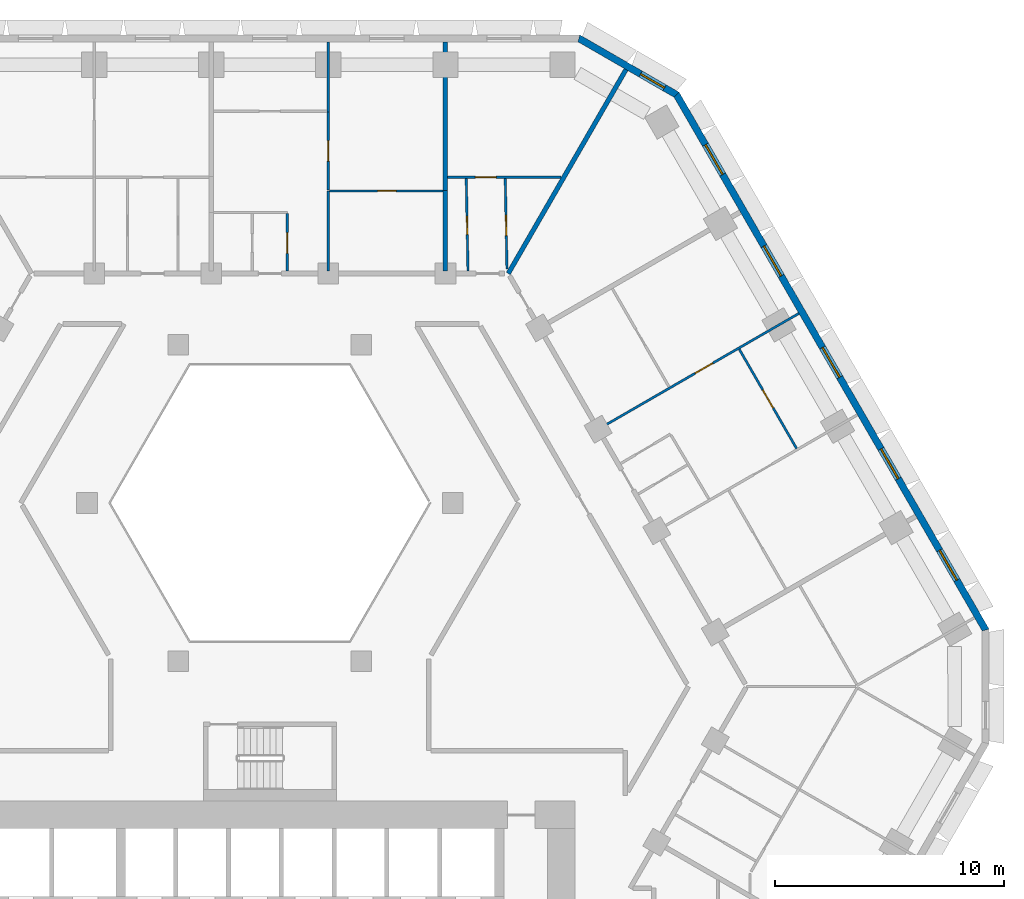
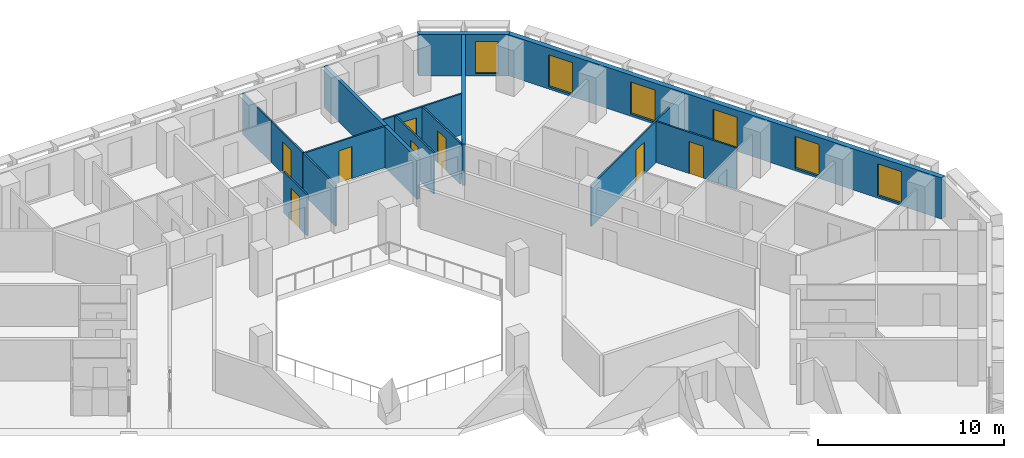
# One storey, part 10 of 16: 15 walls, 8 doors, 6 windows, 14 openings.
"""IFC4 building model written with IfcOpenShell, lengths in metres."""

import ifcopenshell
import ifcopenshell.guid

model = None  # the IFC model being written
_history = None  # IfcOwnerHistory: only IFC2X3 demands one
_inside = {}  # id of a spatial element -> (the spatial element, [elements in it])
_under = {}  # id of a project, library or spatial element -> (it, [spatial elements below it])
_declared = {}  # id of a project -> (the project, [libraries it declares])
_typed = {}  # id of a type object -> (the type object, [elements of that type])
_made_of = {}  # id of a material, layer set ... -> (it, [elements and type objects made of it])


def new_model(schema):
    """Start an empty IFC model of exactly this schema.

    Asked for "IFC4X3", IfcOpenShell would pick the latest addendum, in which some entities
    have other attributes; the version numbers below select the first issue.
    IFC2X3 requires an IfcOwnerHistory on every rooted entity: one is made here for all.
    """
    global model, _history
    if schema == "IFC4X3":
        model = ifcopenshell.file(schema_version=(4, 3, 0, 0))
    else:
        model = ifcopenshell.file(schema=schema)
    _inside.clear()
    _under.clear()
    _declared.clear()
    _typed.clear()
    _made_of.clear()
    _history = None
    if model.schema == "IFC2X3":
        org = make("IfcOrganization", Name="unknown")
        user = make(
            "IfcPersonAndOrganization",
            ThePerson=make("IfcPerson", FamilyName="unknown"),
            TheOrganization=org,
        )
        app = make(
            "IfcApplication",
            ApplicationDeveloper=org,
            Version="unknown",
            ApplicationFullName="unknown",
            ApplicationIdentifier="unknown",
        )
        _history = make(
            "IfcOwnerHistory",
            OwningUser=user,
            OwningApplication=app,
            ChangeAction="ADDED",
            CreationDate=0,
        )
    return model


def make(cls, **values):
    """One entity of the class cls with the attributes given. An attribute that is None is left unset."""
    return model.create_entity(
        cls, **{name: value for name, value in values.items() if value is not None}
    )


def rooted(cls, **values):
    """An entity with a GlobalId (a new one), such as an element, a storey or a relation."""
    return make(cls, GlobalId=ifcopenshell.guid.new(), OwnerHistory=_history, **values)


def si_unit(unit_type, name, prefix=None):
    """IfcSIUnit, for example si_unit("LENGTHUNIT", "METRE", prefix="MILLI")."""
    return make("IfcSIUnit", UnitType=unit_type, Prefix=prefix, Name=name)


def assignment(units):
    """IfcUnitAssignment: the units of a project."""
    return None if units is None else make("IfcUnitAssignment", Units=units)


def point(xyz):
    """IfcCartesianPoint."""
    return None if xyz is None else make("IfcCartesianPoint", Coordinates=xyz)


def direction(xyz):
    """IfcDirection."""
    return None if xyz is None else make("IfcDirection", DirectionRatios=xyz)


def frame(location, z_axis=None, x_axis=None):
    """IfcAxis2Placement3D, a coordinate frame: its origin and axes. An axis left out is left unset."""
    return make(
        "IfcAxis2Placement3D",
        Location=point(location),
        Axis=direction(z_axis),
        RefDirection=direction(x_axis),
    )


def frame_2d(location, x_axis=None):
    """IfcAxis2Placement2D, a coordinate frame in the plane: its origin and x axis."""
    return make(
        "IfcAxis2Placement2D", Location=point(location), RefDirection=direction(x_axis)
    )


def origin():
    """The frame at (0, 0, 0) with its axes left unset."""
    return frame((0.0, 0.0, 0.0))


def place(relative_to, where):
    """IfcLocalPlacement: puts the frame where relative to a parent placement (None: the world)."""
    return make(
        "IfcLocalPlacement", PlacementRelTo=relative_to, RelativePlacement=where
    )


def context(
    kind, dimensions, precision=None, world=None, true_north=None, identifier=None
):
    """IfcGeometricRepresentationContext, for example the 3D "Model" context."""
    return make(
        "IfcGeometricRepresentationContext",
        ContextIdentifier=identifier,
        ContextType=kind,
        CoordinateSpaceDimension=dimensions,
        Precision=precision,
        WorldCoordinateSystem=world,
        TrueNorth=true_north,
    )


def subcontext(parent, identifier, kind, view, scale=None):
    """IfcGeometricRepresentationSubContext, for example "Body" below "Model"."""
    return make(
        "IfcGeometricRepresentationSubContext",
        ContextIdentifier=identifier,
        ContextType=kind,
        ParentContext=parent,
        TargetScale=scale,
        TargetView=view,
    )


def project(units=None, contexts=None):
    """IfcProject with its units and contexts."""
    return rooted(
        "IfcProject",
        Name="project",
        RepresentationContexts=contexts,
        UnitsInContext=assignment(units),
    )


def spatial(cls, under=None, at=None, **own):
    """A site, building, storey or space (cls), placed at a placement, below another one or the project."""
    s = rooted(cls, ObjectPlacement=at, **own)
    if under is not None:
        _under.setdefault(under.id(), (under, []))[1].append(s)
    return s


def polyline(points):
    """IfcPolyline through the points."""
    return make("IfcPolyline", Points=[point(p) for p in points])


def profile(cls, at=None, kind="AREA", **sizes):
    """A parametric profile (cls). Its sizes go by their IFC names, for example OverallWidth=200.0."""
    return make(cls, ProfileType=kind, Position=at, **sizes)


def rectangle(**sizes):
    """IfcRectangleProfileDef."""
    return profile("IfcRectangleProfileDef", **sizes)


def outline(outer, holes=None, kind="AREA"):
    """IfcArbitraryClosedProfileDef: a profile drawn as a closed curve; with holes, ...WithVoids."""
    if holes is None:
        return make("IfcArbitraryClosedProfileDef", ProfileType=kind, OuterCurve=outer)
    return make(
        "IfcArbitraryProfileDefWithVoids",
        ProfileType=kind,
        OuterCurve=outer,
        InnerCurves=holes,
    )


def extrude(swept, where, along, depth):
    """IfcExtrudedAreaSolid: the profile swept, set in the frame where, extruded along a direction by depth."""
    return make(
        "IfcExtrudedAreaSolid",
        SweptArea=swept,
        Position=where,
        ExtrudedDirection=direction(along),
        Depth=depth,
    )


def shape(context_of_items, identifier, shape_type, items):
    """IfcShapeRepresentation: the items that make up one representation, for example the "Body"."""
    return make(
        "IfcShapeRepresentation",
        ContextOfItems=context_of_items,
        RepresentationIdentifier=identifier,
        RepresentationType=shape_type,
        Items=items,
    )


def material(Name=None, Category=None):
    """IfcMaterial."""
    return make("IfcMaterial", Name=Name, Category=Category)


def layer(
    of_material, thickness, ventilated=None, Name=None, Category=None, Priority=None
):
    """IfcMaterialLayer: one layer of a wall or slab, of a material (None: an air gap)."""
    return make(
        "IfcMaterialLayer",
        Material=of_material,
        LayerThickness=thickness,
        IsVentilated=ventilated,
        Name=Name,
        Category=Category,
        Priority=Priority,
    )


def layer_set(layers, Name=None):
    """IfcMaterialLayerSet."""
    return make("IfcMaterialLayerSet", MaterialLayers=layers, LayerSetName=Name)


def made_of(thing, what):
    """Note that an element or type object is made of a material, layer set ...; save() writes the relation."""
    if what is not None:
        _made_of.setdefault(what.id(), (what, []))[1].append(thing)
    return thing


def type_object(cls, material=None, **own):
    """A type object (cls), such as IfcWallType, which elements share."""
    return made_of(rooted(cls, **own), material)


def element(
    cls,
    number,
    at=None,
    inside=None,
    cuts=None,
    type_object=None,
    material=None,
    context=None,
    identifier="Body",
    shape_type=None,
    held_by="IfcProductDefinitionShape",
    body=None,
    shapes=None,
    **own,
):
    """One element of the class cls, such as IfcWall. Its Tag is "e" and its number.

    at: its placement. inside: the storey or other place that contains it. cuts: it is an
    opening in that element (IfcRelVoidsElement). A single representation is given by context,
    identifier, shape_type and body (its items); several are given by shapes. held_by: the class
    of the entity that holds the representations. save() writes the other relations.
    """
    e = rooted(cls, Tag="e%d" % number, ObjectPlacement=at, **own)
    if body is not None:
        shapes = [shape(context, identifier, shape_type, body)]
    if shapes is not None:
        e.Representation = make(held_by, Representations=shapes)
    if inside is not None:
        _inside.setdefault(inside.id(), (inside, []))[1].append(e)
    if cuts is not None:
        rooted(
            "IfcRelVoidsElement", RelatingBuildingElement=cuts, RelatedOpeningElement=e
        )
    if type_object is not None:
        _typed.setdefault(type_object.id(), (type_object, []))[1].append(e)
    return made_of(e, material)


def fill(opening, filler):
    """IfcRelFillsElement: the door or window that sits in an opening."""
    return rooted(
        "IfcRelFillsElement",
        RelatingOpeningElement=opening,
        RelatedBuildingElement=filler,
    )


def aggregate(whole, parts):
    """IfcRelAggregates: a whole, such as a stair, and the parts it consists of."""
    return rooted("IfcRelAggregates", RelatingObject=whole, RelatedObjects=parts)


def save(model, path):
    """Write the relations noted so far, then the file.

    IfcRelAggregates (storeys below a building ...), IfcRelContainedInSpatialStructure (elements
    in a storey), IfcRelDefinesByType, IfcRelAssociatesMaterial and IfcRelDeclares: one each for
    every whole, place, type object, material and project.
    """
    for whole, parts in _under.values():
        aggregate(whole, parts)
    for where, things in _inside.values():
        rooted(
            "IfcRelContainedInSpatialStructure",
            RelatedElements=things,
            RelatingStructure=where,
        )
    for kind, things in _typed.values():
        rooted("IfcRelDefinesByType", RelatedObjects=things, RelatingType=kind)
    for what, things in _made_of.values():
        rooted("IfcRelAssociatesMaterial", RelatedObjects=things, RelatingMaterial=what)
    for by, libraries in _declared.values():
        rooted("IfcRelDeclares", RelatingContext=by, RelatedDefinitions=libraries)
    model.write(path)


model = new_model("IFC4")

# Units and contexts
model_context = context("Model", 3, precision=1e-05, world=origin(), true_north=direction((0.0, 1.0)))
body_context = subcontext(model_context, "Body", "Model", "MODEL_VIEW")
ifc_project = project(units=[si_unit("LENGTHUNIT", "METRE"), si_unit("AREAUNIT", "SQUARE_METRE"), si_unit("VOLUMEUNIT", "CUBIC_METRE"), si_unit("PLANEANGLEUNIT", "RADIAN"), si_unit("MASSUNIT", "GRAM", prefix="KILO")], contexts=[model_context])

# Site, building, storey
site_placement = place(None, origin())
site = spatial("IfcSite", under=ifc_project, at=site_placement, CompositionType="ELEMENT")
building_placement = place(site_placement, origin())
building = spatial("IfcBuilding", under=site, at=building_placement, Name="Beryl Residences", CompositionType="ELEMENT")
storey_placement = place(building_placement, frame((0.0, 0.0, 32.39990234375)))
storey = spatial("IfcBuildingStorey", under=building, at=storey_placement, Name="L09", CompositionType="ELEMENT", Elevation=32.39990234375)

# Wall, openings, windows
ifc_material_1 = material(Name="Composite metal panel with mineral wool insulation")
ifc_layer_1 = layer(ifc_material_1, 0.300048828125)
ifc_layer_set_1 = layer_set([ifc_layer_1], Name="ES1 pale metal composite panel wall 300 mm")
wall_type_1 = type_object("IfcWallType", Name="ES1 pale metal composite panel wall 300 mm", PredefinedType="SOLIDWALL", material=ifc_layer_set_1)
wall_1_placement = place(storey_placement, frame((31.219970703125, 2.425048828125, 0.0), z_axis=(0.0, 0.0, 1.0), x_axis=(-0.500001938803, 0.866024284413, 0.0)))
wall_1 = element("IfcWall", 1, at=wall_1_placement, inside=storey, type_object=wall_type_1, Name="ES1 external wall L09 NE", PredefinedType="SOLIDWALL", context=body_context, shape_type="SweptSolid", body=[
    extrude(outline(polyline([(0.0, -0.14990234375), (27.02001953125, -0.14990234375), (26.939697265625, 0.14990234375), (0.080322265625, 0.14990234375), (0.0, -0.14990234375)])), origin(), (0.0, 0.0, 1.0), 2.7001953125),
])
opening_1_placement = place(wall_1_placement, frame((2.552978515625, 0.0, 0.14990234375)))
opening_1 = element("IfcOpeningElement", 2, at=opening_1_placement, cuts=wall_1, Name="Opening W1", PredefinedType="OPENING", context=body_context, shape_type="SweptSolid", body=[
    extrude(rectangle(XDim=1.5, YDim=2.10009765625, at=frame_2d((0.75, 1.050048828125))), frame((0.0, 0.159912109375, 0.0), z_axis=(0.0, -1.0, 0.0), x_axis=(1.0, 0.0, 0.0)), (0.0, 0.0, 1.0), 0.320068359375),
])
opening_2_placement = place(wall_1_placement, frame((7.656982421875, 0.0, 0.14990234375)))
opening_2 = element("IfcOpeningElement", 3, at=opening_2_placement, cuts=wall_1, Name="Opening W1", PredefinedType="OPENING", context=body_context, shape_type="SweptSolid", body=[
    extrude(rectangle(XDim=1.5, YDim=2.10009765625, at=frame_2d((0.75, 1.050048828125))), frame((0.0, 0.159912109375, 0.0), z_axis=(0.0, -1.0, 0.0), x_axis=(1.0, 0.0, 0.0)), (0.0, 0.0, 1.0), 0.320068359375),
])
opening_3_placement = place(wall_1_placement, frame((12.760986328125, 0.0, 0.14990234375)))
opening_3 = element("IfcOpeningElement", 4, at=opening_3_placement, cuts=wall_1, Name="Opening W1", PredefinedType="OPENING", context=body_context, shape_type="SweptSolid", body=[
    extrude(rectangle(XDim=1.5, YDim=2.10009765625, at=frame_2d((0.75, 1.050048828125))), frame((0.0, 0.159912109375, 0.0), z_axis=(0.0, -1.0, 0.0), x_axis=(1.0, 0.0, 0.0)), (0.0, 0.0, 1.0), 0.320068359375),
])
opening_4_placement = place(wall_1_placement, frame((17.864990234375, 0.0, 0.14990234375)))
opening_4 = element("IfcOpeningElement", 5, at=opening_4_placement, cuts=wall_1, Name="Opening W1", PredefinedType="OPENING", context=body_context, shape_type="SweptSolid", body=[
    extrude(rectangle(XDim=1.5, YDim=2.10009765625, at=frame_2d((0.75, 1.050048828125))), frame((0.0, 0.159912109375, 0.0), z_axis=(0.0, -1.0, 0.0), x_axis=(1.0, 0.0, 0.0)), (0.0, 0.0, 1.0), 0.320068359375),
])
opening_5_placement = place(wall_1_placement, frame((22.968994140625, 0.0, 0.14990234375)))
opening_5 = element("IfcOpeningElement", 6, at=opening_5_placement, cuts=wall_1, Name="Opening W1", PredefinedType="OPENING", context=body_context, shape_type="SweptSolid", body=[
    extrude(rectangle(XDim=1.5, YDim=2.10009765625, at=frame_2d((0.75, 1.050048828125))), frame((0.0, 0.159912109375, 0.0), z_axis=(0.0, -1.0, 0.0), x_axis=(1.0, 0.0, 0.0)), (0.0, 0.0, 1.0), 0.320068359375),
])
ifc_material_2 = material(Name="Aluminium and clear glass", Category="aluminium")
window_type_1 = type_object("IfcWindowType", Name="W1 cell window 1500 x 2100 mm", PartitioningType="SINGLE_PANEL", PredefinedType="WINDOW", material=ifc_material_2)
window_1_placement = place(opening_1_placement, origin())
window_1 = element("IfcWindow", 7, at=window_1_placement, inside=storey, type_object=window_type_1, Name="W1 window L09 NE 2", OverallHeight=2.10009765625, OverallWidth=1.5, PartitioningType="SINGLE_PANEL", PredefinedType="WINDOW", context=body_context, shape_type="SweptSolid", body=[
    extrude(rectangle(XDim=1.5, YDim=2.10009765625, at=frame_2d((0.75, 1.050048828125))), frame((0.0, 0.030029296875, 0.0), z_axis=(0.0, -1.0, 0.0), x_axis=(1.0, 0.0, 0.0)), (0.0, 0.0, 1.0), 0.06005859375),
])
fill(opening_1, window_1)
window_2_placement = place(opening_2_placement, origin())
window_2 = element("IfcWindow", 8, at=window_2_placement, inside=storey, type_object=window_type_1, Name="W1 window L09 NE 4", OverallHeight=2.10009765625, OverallWidth=1.5, PartitioningType="SINGLE_PANEL", PredefinedType="WINDOW", context=body_context, shape_type="SweptSolid", body=[
    extrude(rectangle(XDim=1.5, YDim=2.10009765625, at=frame_2d((0.75, 1.050048828125))), frame((0.0, 0.030029296875, 0.0), z_axis=(0.0, -1.0, 0.0), x_axis=(1.0, 0.0, 0.0)), (0.0, 0.0, 1.0), 0.06005859375),
])
fill(opening_2, window_2)
window_3_placement = place(opening_3_placement, origin())
window_3 = element("IfcWindow", 9, at=window_3_placement, inside=storey, type_object=window_type_1, Name="W1 window L09 NE 6", OverallHeight=2.10009765625, OverallWidth=1.5, PartitioningType="SINGLE_PANEL", PredefinedType="WINDOW", context=body_context, shape_type="SweptSolid", body=[
    extrude(rectangle(XDim=1.5, YDim=2.10009765625, at=frame_2d((0.75, 1.050048828125))), frame((0.0, 0.030029296875, 0.0), z_axis=(0.0, -1.0, 0.0), x_axis=(1.0, 0.0, 0.0)), (0.0, 0.0, 1.0), 0.06005859375),
])
fill(opening_3, window_3)
window_4_placement = place(opening_4_placement, origin())
window_4 = element("IfcWindow", 10, at=window_4_placement, inside=storey, type_object=window_type_1, Name="W1 window L09 NE 8", OverallHeight=2.10009765625, OverallWidth=1.5, PartitioningType="SINGLE_PANEL", PredefinedType="WINDOW", context=body_context, shape_type="SweptSolid", body=[
    extrude(rectangle(XDim=1.5, YDim=2.10009765625, at=frame_2d((0.75, 1.050048828125))), frame((0.0, 0.030029296875, 0.0), z_axis=(0.0, -1.0, 0.0), x_axis=(1.0, 0.0, 0.0)), (0.0, 0.0, 1.0), 0.06005859375),
])
fill(opening_4, window_4)
window_5_placement = place(opening_5_placement, origin())
window_5 = element("IfcWindow", 11, at=window_5_placement, inside=storey, type_object=window_type_1, Name="W1 window L09 NE 10", OverallHeight=2.10009765625, OverallWidth=1.5, PartitioningType="SINGLE_PANEL", PredefinedType="WINDOW", context=body_context, shape_type="SweptSolid", body=[
    extrude(rectangle(XDim=1.5, YDim=2.10009765625, at=frame_2d((0.75, 1.050048828125))), frame((0.0, 0.030029296875, 0.0), z_axis=(0.0, -1.0, 0.0), x_axis=(1.0, 0.0, 0.0)), (0.0, 0.0, 1.0), 0.06005859375),
])
fill(opening_5, window_5)

# Wall, opening, window
wall_2_placement = place(storey_placement, frame((17.764892578125, 25.77001953125, 0.0), z_axis=(0.0, 0.0, 1.0), x_axis=(-0.866010750942, 0.50002537861, 0.0)))
wall_2 = element("IfcWall", 12, at=wall_2_placement, inside=storey, type_object=wall_type_1, Name="ES1 external wall L09 NE-N", PredefinedType="SOLIDWALL", context=body_context, shape_type="SweptSolid", body=[
    extrude(outline(polyline([(0.0, -0.14990234375), (4.999755859375, -0.14990234375), (4.91943359375, 0.14990234375), (0.080322265625, 0.14990234375), (0.0, -0.14990234375)])), origin(), (0.0, 0.0, 1.0), 2.7001953125),
])
opening_6_placement = place(wall_2_placement, frame((0.64990234375, 0.0, 0.14990234375)))
opening_6 = element("IfcOpeningElement", 13, at=opening_6_placement, cuts=wall_2, Name="Opening W2", PredefinedType="OPENING", context=body_context, shape_type="SweptSolid", body=[
    extrude(rectangle(XDim=1.199951171875, YDim=2.10009765625, at=frame_2d((0.60009765625, 1.050048828125))), frame((0.0, 0.159912109375, 0.0), z_axis=(0.0, -1.0, 0.0), x_axis=(1.0, 0.0, 0.0)), (0.0, 0.0, 1.0), 0.320068359375),
])
ifc_material_3 = material(Name="Aluminium and clear glass", Category="aluminium")
window_type_2 = type_object("IfcWindowType", Name="W2 chamfer window 1200 x 2100 mm", PartitioningType="SINGLE_PANEL", PredefinedType="WINDOW", material=ifc_material_3)
window_6_placement = place(opening_6_placement, origin())
window_6 = element("IfcWindow", 14, at=window_6_placement, inside=storey, type_object=window_type_2, Name="W2 window L09 NE-N 1", OverallHeight=2.10009765625, OverallWidth=1.199951171875, PartitioningType="SINGLE_PANEL", PredefinedType="WINDOW", context=body_context, shape_type="SweptSolid", body=[
    extrude(rectangle(XDim=1.199951171875, YDim=2.10009765625, at=frame_2d((0.60009765625, 1.050048828125))), frame((0.0, 0.030029296875, 0.0), z_axis=(0.0, -1.0, 0.0), x_axis=(1.0, 0.0, 0.0)), (0.0, 0.0, 1.0), 0.06005859375),
])
fill(opening_6, window_6)

# Wall, opening, door
ifc_material_4 = material(Name="Gypsum board partition on steel studs", Category="steel")
ifc_layer_2 = layer(ifc_material_4, 0.10009765625)
ifc_layer_set_2 = layer_set([ifc_layer_2], Name="PT1 partition 100 mm gypsum board on steel studs")
wall_type_2 = type_object("IfcWallType", Name="PT1 partition 100 mm gypsum board on steel studs", PredefinedType="PARTITIONING", material=ifc_layer_set_2)
wall_3_placement = place(storey_placement, frame((20.4599609375, 14.702880859375, 0.0), z_axis=(0.0, 0.0, 1.0), x_axis=(0.499918186652, -0.866072633591, 0.0)))
wall_3 = element("IfcWall", 15, at=wall_3_placement, inside=storey, type_object=wall_type_2, Name="Wall PT1 L09 007", PredefinedType="PARTITIONING", context=body_context, shape_type="SweptSolid", body=[
    extrude(rectangle(XDim=5.002685546875, YDim=0.10009765625, at=frame_2d((2.50146484375, 0.0))), origin(), (0.0, 0.0, 1.0), 2.7001953125),
])
opening_7_placement = place(wall_3_placement, frame((2.052001953125, 0.0, 0.0)))
opening_7 = element("IfcOpeningElement", 16, at=opening_7_placement, cuts=wall_3, Name="Opening D0453", PredefinedType="OPENING", context=body_context, shape_type="SweptSolid", body=[
    extrude(rectangle(XDim=0.89990234375, YDim=2.10009765625, at=frame_2d((0.449951171875, 1.050048828125))), frame((0.0, 0.06005859375, 0.0), z_axis=(0.0, -1.0, 0.0), x_axis=(1.0, 0.0, 0.0)), (0.0, 0.0, 1.0), 0.1201171875),
])
ifc_material_5 = material(Name="Timber door leaf", Category="wood")
door_type_1 = type_object("IfcDoorType", Name="D2 room door 900 x 2100 mm", OperationType="SINGLE_SWING_LEFT", PredefinedType="DOOR", material=ifc_material_5)
door_1_placement = place(opening_7_placement, origin())
door_1 = element("IfcDoor", 17, at=door_1_placement, inside=storey, type_object=door_type_1, Name="Door D0453 L09 001", OperationType="SINGLE_SWING_LEFT", OverallHeight=2.10009765625, OverallWidth=0.89990234375, PredefinedType="DOOR", context=body_context, shape_type="SweptSolid", body=[
    extrude(rectangle(XDim=0.89990234375, YDim=2.10009765625, at=frame_2d((0.449951171875, 1.050048828125))), frame((0.0, 0.02490234375, 0.0), z_axis=(0.0, -1.0, 0.0), x_axis=(1.0, 0.0, 0.0)), (0.0, 0.0, 1.0), 0.050048828125),
])
fill(opening_7, door_1)

wall_4_placement = place(storey_placement, frame((8.56201171875, 22.14990234375, 0.0), z_axis=(0.0, 0.0, 1.0), x_axis=(0.018504185939, -0.999828782894, 0.0)))
wall_4 = element("IfcWall", 18, at=wall_4_placement, inside=storey, type_object=wall_type_2, Name="Wall PT1 L09 008", PredefinedType="PARTITIONING", context=body_context, shape_type="SweptSolid", body=[
    extrude(rectangle(XDim=4.050537109375, YDim=0.10009765625, at=frame_2d((2.025390625, 0.0))), origin(), (0.0, 0.0, 1.0), 2.7001953125),
])
opening_8_placement = place(wall_4_placement, frame((1.64990234375, 0.0, 0.0)))
opening_8 = element("IfcOpeningElement", 19, at=opening_8_placement, cuts=wall_4, Name="Opening D0460", PredefinedType="OPENING", context=body_context, shape_type="SweptSolid", body=[
    extrude(rectangle(XDim=0.800048828125, YDim=2.10009765625, at=frame_2d((0.39990234375, 1.050048828125))), frame((0.0, 0.06005859375, 0.0), z_axis=(0.0, -1.0, 0.0), x_axis=(1.0, 0.0, 0.0)), (0.0, 0.0, 1.0), 0.1201171875),
])
ifc_material_6 = material(Name="Timber door leaf", Category="wood")
door_type_2 = type_object("IfcDoorType", Name="D3 bathroom door 800 x 2100 mm", OperationType="SINGLE_SWING_LEFT", PredefinedType="DOOR", material=ifc_material_6)
door_2_placement = place(opening_8_placement, origin())
door_2 = element("IfcDoor", 20, at=door_2_placement, inside=storey, type_object=door_type_2, Name="Door D0460 L09 001", OperationType="SINGLE_SWING_RIGHT", OverallHeight=2.10009765625, OverallWidth=0.800048828125, PredefinedType="DOOR", context=body_context, shape_type="SweptSolid", body=[
    extrude(rectangle(XDim=0.800048828125, YDim=2.10009765625, at=frame_2d((0.39990234375, 1.050048828125))), frame((0.0, 0.02490234375, 0.0), z_axis=(0.0, -1.0, 0.0), x_axis=(1.0, 0.0, 0.0)), (0.0, 0.0, 1.0), 0.050048828125),
])
fill(opening_8, door_2)

wall_5_placement = place(storey_placement, frame((10.261962890625, 22.14990234375, 0.0), z_axis=(0.0, 0.0, 1.0), x_axis=(0.018696971826, -0.999825196344, 0.0)))
wall_5 = element("IfcWall", 21, at=wall_5_placement, inside=storey, type_object=wall_type_2, Name="Wall PT1 L09 009", PredefinedType="PARTITIONING", context=body_context, shape_type="SweptSolid", body=[
    extrude(rectangle(XDim=3.95654296875, YDim=0.10009765625, at=frame_2d((1.978271484375, 0.0))), origin(), (0.0, 0.0, 1.0), 2.7001953125),
])
opening_9_placement = place(wall_5_placement, frame((1.60009765625, 0.0, 0.0)))
opening_9 = element("IfcOpeningElement", 22, at=opening_9_placement, cuts=wall_5, Name="Opening D0461", PredefinedType="OPENING", context=body_context, shape_type="SweptSolid", body=[
    extrude(rectangle(XDim=0.89990234375, YDim=2.10009765625, at=frame_2d((0.449951171875, 1.050048828125))), frame((0.0, 0.06005859375, 0.0), z_axis=(0.0, -1.0, 0.0), x_axis=(1.0, 0.0, 0.0)), (0.0, 0.0, 1.0), 0.1201171875),
])
door_3_placement = place(opening_9_placement, origin())
door_3 = element("IfcDoor", 23, at=door_3_placement, inside=storey, type_object=door_type_1, Name="Door D0461 L09 001", OperationType="SINGLE_SWING_LEFT", OverallHeight=2.10009765625, OverallWidth=0.89990234375, PredefinedType="DOOR", context=body_context, shape_type="SweptSolid", body=[
    extrude(rectangle(XDim=0.89990234375, YDim=2.10009765625, at=frame_2d((0.449951171875, 1.050048828125))), frame((0.0, 0.02490234375, 0.0), z_axis=(0.0, -1.0, 0.0), x_axis=(1.0, 0.0, 0.0)), (0.0, 0.0, 1.0), 0.050048828125),
])
fill(opening_9, door_3)

wall_6_placement = place(storey_placement, frame((0.764892578125, 20.60888671875, 0.0), z_axis=(0.0, 0.0, 1.0), x_axis=(0.0, -1.0, 0.0)))
wall_6 = element("IfcWall", 24, at=wall_6_placement, inside=storey, type_object=wall_type_2, Name="Wall PT1 L09 013", PredefinedType="PARTITIONING", context=body_context, shape_type="SweptSolid", body=[
    extrude(rectangle(XDim=2.5087890625, YDim=0.10009765625, at=frame_2d((1.25439453125, 0.0))), origin(), (0.0, 0.0, 1.0), 2.7001953125),
])
opening_10_placement = place(wall_6_placement, frame((0.8291015625, 0.0, 0.0)))
opening_10 = element("IfcOpeningElement", 25, at=opening_10_placement, cuts=wall_6, Name="Opening D0464", PredefinedType="OPENING", context=body_context, shape_type="SweptSolid", body=[
    extrude(rectangle(XDim=0.89990234375, YDim=2.10009765625, at=frame_2d((0.449951171875, 1.050048828125))), frame((0.0, 0.06005859375, 0.0), z_axis=(0.0, -1.0, 0.0), x_axis=(1.0, 0.0, 0.0)), (0.0, 0.0, 1.0), 0.1201171875),
])
door_4_placement = place(opening_10_placement, origin())
door_4 = element("IfcDoor", 26, at=door_4_placement, inside=storey, type_object=door_type_1, Name="Door D0464 L09 001", OperationType="SINGLE_SWING_RIGHT", OverallHeight=2.10009765625, OverallWidth=0.89990234375, PredefinedType="DOOR", context=body_context, shape_type="SweptSolid", body=[
    extrude(rectangle(XDim=0.89990234375, YDim=2.10009765625, at=frame_2d((0.449951171875, 1.050048828125))), frame((0.0, 0.02490234375, 0.0), z_axis=(0.0, -1.0, 0.0), x_axis=(1.0, 0.0, 0.0)), (0.0, 0.0, 1.0), 0.050048828125),
])
fill(opening_10, door_4)

wall_7_placement = place(storey_placement, frame((2.551025390625, 25.0400390625, 0.0), z_axis=(0.0, 0.0, 1.0), x_axis=(0.0, -1.0, 0.0)))
wall_7 = element("IfcWall", 27, at=wall_7_placement, inside=storey, type_object=wall_type_2, Name="Wall PT1 L09 014", PredefinedType="PARTITIONING", context=body_context, shape_type="SweptSolid", body=[
    extrude(rectangle(XDim=3.39013671875, YDim=0.10009765625, at=frame_2d((1.695068359375, 0.0))), origin(), (0.0, 0.0, 1.0), 2.7001953125),
])
opening_11_placement = place(wall_7_placement, frame((1.2451171875, 0.0, 0.0)))
opening_11 = element("IfcOpeningElement", 28, at=opening_11_placement, cuts=wall_7, Name="Opening D0467", PredefinedType="OPENING", context=body_context, shape_type="SweptSolid", body=[
    extrude(rectangle(XDim=0.89990234375, YDim=2.10009765625, at=frame_2d((0.449951171875, 1.050048828125))), frame((0.0, 0.06005859375, 0.0), z_axis=(0.0, -1.0, 0.0), x_axis=(1.0, 0.0, 0.0)), (0.0, 0.0, 1.0), 0.1201171875),
])
door_5_placement = place(opening_11_placement, origin())
door_5 = element("IfcDoor", 29, at=door_5_placement, inside=storey, type_object=door_type_1, Name="Door D0467 L09 001", OperationType="SINGLE_SWING_LEFT", OverallHeight=2.10009765625, OverallWidth=0.89990234375, PredefinedType="DOOR", context=body_context, shape_type="SweptSolid", body=[
    extrude(rectangle(XDim=0.89990234375, YDim=2.10009765625, at=frame_2d((0.449951171875, 1.050048828125))), frame((0.0, 0.02490234375, 0.0), z_axis=(0.0, -1.0, 0.0), x_axis=(1.0, 0.0, 0.0)), (0.0, 0.0, 1.0), 0.050048828125),
])
fill(opening_11, door_5)

wall_8_placement = place(storey_placement, frame((2.60107421875, 21.60009765625, 0.0), z_axis=(0.0, 0.0, 1.0), x_axis=(1.0, 0.0, 0.0)))
wall_8 = element("IfcWall", 30, at=wall_8_placement, inside=storey, type_object=wall_type_2, Name="Wall PT1 L09 036", PredefinedType="PARTITIONING", context=body_context, shape_type="SweptSolid", body=[
    extrude(rectangle(XDim=4.953857421875, YDim=0.10009765625, at=frame_2d((2.47705078125, 0.0))), origin(), (0.0, 0.0, 1.0), 2.7001953125),
])
opening_12_placement = place(wall_8_placement, frame((2.10205078125, 0.0, 0.0)))
opening_12 = element("IfcOpeningElement", 31, at=opening_12_placement, cuts=wall_8, Name="Opening D0468", PredefinedType="OPENING", context=body_context, shape_type="SweptSolid", body=[
    extrude(rectangle(XDim=0.800048828125, YDim=2.10009765625, at=frame_2d((0.39990234375, 1.050048828125))), frame((0.0, 0.06005859375, 0.0), z_axis=(0.0, -1.0, 0.0), x_axis=(1.0, 0.0, 0.0)), (0.0, 0.0, 1.0), 0.1201171875),
])
door_6_placement = place(opening_12_placement, origin())
door_6 = element("IfcDoor", 32, at=door_6_placement, inside=storey, type_object=door_type_2, Name="Door D0468 L09 001", OperationType="SINGLE_SWING_RIGHT", OverallHeight=2.10009765625, OverallWidth=0.800048828125, PredefinedType="DOOR", context=body_context, shape_type="SweptSolid", body=[
    extrude(rectangle(XDim=0.800048828125, YDim=2.10009765625, at=frame_2d((0.39990234375, 1.050048828125))), frame((0.0, 0.02490234375, 0.0), z_axis=(0.0, -1.0, 0.0), x_axis=(1.0, 0.0, 0.0)), (0.0, 0.0, 1.0), 0.050048828125),
])
fill(opening_12, door_6)

wall_9_placement = place(storey_placement, frame((7.7548828125, 22.199951171875, 0.0), z_axis=(0.0, 0.0, 1.0), x_axis=(1.0, 0.0, 0.0)))
wall_9 = element("IfcWall", 33, at=wall_9_placement, inside=storey, type_object=wall_type_2, Name="Wall PT1 L09 038", PredefinedType="PARTITIONING", context=body_context, shape_type="SweptSolid", body=[
    extrude(rectangle(XDim=4.947021484375, YDim=0.10009765625, at=frame_2d((2.4736328125, 0.0))), origin(), (0.0, 0.0, 1.0), 2.7001953125),
])
opening_13_placement = place(wall_9_placement, frame((1.2060546875, 0.0, 0.0)))
opening_13 = element("IfcOpeningElement", 34, at=opening_13_placement, cuts=wall_9, Name="Opening D0462", PredefinedType="OPENING", context=body_context, shape_type="SweptSolid", body=[
    extrude(rectangle(XDim=0.89990234375, YDim=2.10009765625, at=frame_2d((0.449951171875, 1.050048828125))), frame((0.0, 0.06005859375, 0.0), z_axis=(0.0, -1.0, 0.0), x_axis=(1.0, 0.0, 0.0)), (0.0, 0.0, 1.0), 0.1201171875),
])
door_7_placement = place(opening_13_placement, origin())
door_7 = element("IfcDoor", 35, at=door_7_placement, inside=storey, type_object=door_type_1, Name="Door D0462 L09 001", OperationType="SINGLE_SWING_RIGHT", OverallHeight=2.10009765625, OverallWidth=0.89990234375, PredefinedType="DOOR", context=body_context, shape_type="SweptSolid", body=[
    extrude(rectangle(XDim=0.89990234375, YDim=2.10009765625, at=frame_2d((0.449951171875, 1.050048828125))), frame((0.0, 0.02490234375, 0.0), z_axis=(0.0, -1.0, 0.0), x_axis=(1.0, 0.0, 0.0)), (0.0, 0.0, 1.0), 0.050048828125),
])
fill(opening_13, door_7)

# Walls
wall_10_placement = place(storey_placement, frame((2.551025390625, 18.10009765625, 0.0), z_axis=(0.0, 0.0, 1.0), x_axis=(0.0, 1.0, 0.0)))
element("IfcWall", 36, at=wall_10_placement, inside=storey, type_object=wall_type_2, Name="Wall PT1 L09 049", PredefinedType="PARTITIONING", context=body_context, shape_type="SweptSolid", body=[
    extrude(rectangle(XDim=3.5, YDim=0.10009765625, at=frame_2d((1.75, 0.0))), origin(), (0.0, 0.0, 1.0), 2.7001953125),
])
wall_11_placement = place(storey_placement, frame((2.551025390625, 25.050048828125, 0.0), z_axis=(0.0, 0.0, 1.0), x_axis=(0.0, 1.0, 0.0)))
element("IfcWall", 37, at=wall_11_placement, inside=storey, type_object=wall_type_2, Name="Wall PT1 L09 050", PredefinedType="PARTITIONING", context=body_context, shape_type="SweptSolid", body=[
    extrude(rectangle(XDim=3.050048828125, YDim=0.10009765625, at=frame_2d((1.52490234375, 0.0))), origin(), (0.0, 0.0, 1.0), 2.7001953125),
])

# Wall, opening, door
wall_12_placement = place(storey_placement, frame((14.39892578125, 11.260986328125, 0.0), z_axis=(0.0, 0.0, 1.0), x_axis=(0.866022959057, 0.500004234368, 0.0)))
wall_12 = element("IfcWall", 38, at=wall_12_placement, inside=storey, type_object=wall_type_2, Name="Wall PT1 L09 068", PredefinedType="PARTITIONING", context=body_context, shape_type="SweptSolid", body=[
    extrude(rectangle(XDim=10.0, YDim=0.10009765625, at=frame_2d((5.0, 0.0))), origin(), (0.0, 0.0, 1.0), 2.7001953125),
])
opening_14_placement = place(wall_12_placement, frame((4.77490234375, 0.0, 0.0)))
opening_14 = element("IfcOpeningElement", 39, at=opening_14_placement, cuts=wall_12, Name="Opening D0454", PredefinedType="OPENING", context=body_context, shape_type="SweptSolid", body=[
    extrude(rectangle(XDim=0.89990234375, YDim=2.10009765625, at=frame_2d((0.449951171875, 1.050048828125))), frame((0.0, 0.06005859375, 0.0), z_axis=(0.0, -1.0, 0.0), x_axis=(1.0, 0.0, 0.0)), (0.0, 0.0, 1.0), 0.1201171875),
])
door_8_placement = place(opening_14_placement, origin())
door_8 = element("IfcDoor", 40, at=door_8_placement, inside=storey, type_object=door_type_1, Name="Door D0454 L09 001", OperationType="SINGLE_SWING_RIGHT", OverallHeight=2.10009765625, OverallWidth=0.89990234375, PredefinedType="DOOR", context=body_context, shape_type="SweptSolid", body=[
    extrude(rectangle(XDim=0.89990234375, YDim=2.10009765625, at=frame_2d((0.449951171875, 1.050048828125))), frame((0.0, 0.02490234375, 0.0), z_axis=(0.0, -1.0, 0.0), x_axis=(1.0, 0.0, 0.0)), (0.0, 0.0, 1.0), 0.050048828125),
])
fill(opening_14, door_8)

# Walls
ifc_material_7 = material(Name="Acoustic double stud gypsum board wall")
ifc_layer_3 = layer(ifc_material_7, 0.199951171875)
ifc_layer_set_3 = layer_set([ifc_layer_3], Name="PT3 party wall 200 mm acoustic double stud")
wall_type_3 = type_object("IfcWallType", Name="PT3 party wall 200 mm acoustic double stud", PredefinedType="PARTITIONING", material=ifc_layer_set_3)
wall_13_placement = place(storey_placement, frame((7.655029296875, 21.6201171875, 0.0), z_axis=(0.0, 0.0, 1.0), x_axis=(0.0, -1.0, 0.0)))
element("IfcWall", 41, at=wall_13_placement, inside=storey, type_object=wall_type_3, Name="Wall PT3 L09 003", PredefinedType="PARTITIONING", context=body_context, shape_type="SweptSolid", body=[
    extrude(rectangle(XDim=3.52001953125, YDim=0.199951171875, at=frame_2d((1.760009765625, 0.0))), origin(), (0.0, 0.0, 1.0), 2.7001953125),
])
wall_14_placement = place(storey_placement, frame((10.39306640625, 18.0, 0.0), z_axis=(0.0, 0.0, 1.0), x_axis=(0.499945497007, 0.866056868816, 0.0)))
element("IfcWall", 42, at=wall_14_placement, inside=storey, type_object=wall_type_3, Name="Wall PT3 L09 014", PredefinedType="PARTITIONING", context=body_context, shape_type="SweptSolid", body=[
    extrude(rectangle(XDim=10.264892578125, YDim=0.199951171875, at=frame_2d((5.13232421875, 0.0))), origin(), (0.0, 0.0, 1.0), 2.7001953125),
])
wall_15_placement = place(storey_placement, frame((7.655029296875, 21.580078125, 0.0), z_axis=(0.0, 0.0, 1.0), x_axis=(0.0, 1.0, 0.0)))
element("IfcWall", 43, at=wall_15_placement, inside=storey, type_object=wall_type_3, Name="Wall PT3 L09 017", PredefinedType="PARTITIONING", context=body_context, shape_type="SweptSolid", body=[
    extrude(rectangle(XDim=6.52001953125, YDim=0.199951171875, at=frame_2d((3.260009765625, 0.0))), origin(), (0.0, 0.0, 1.0), 2.7001953125),
])

save(model, "model.ifc")
